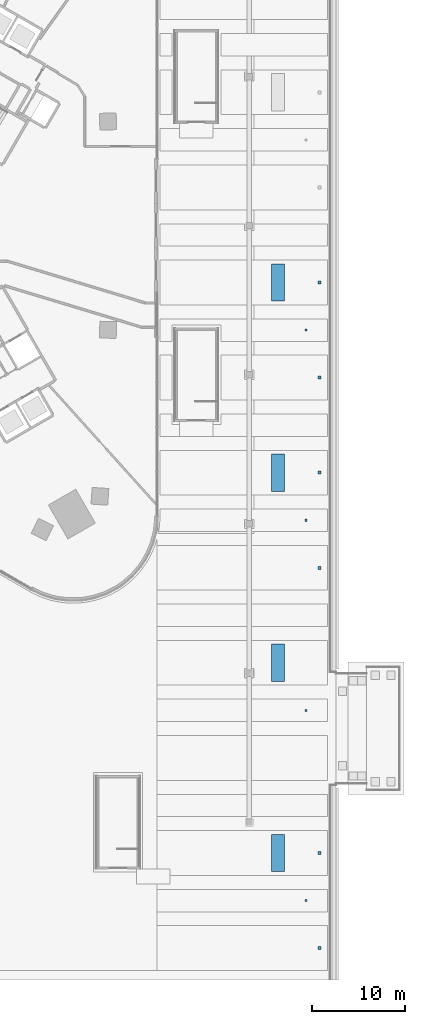
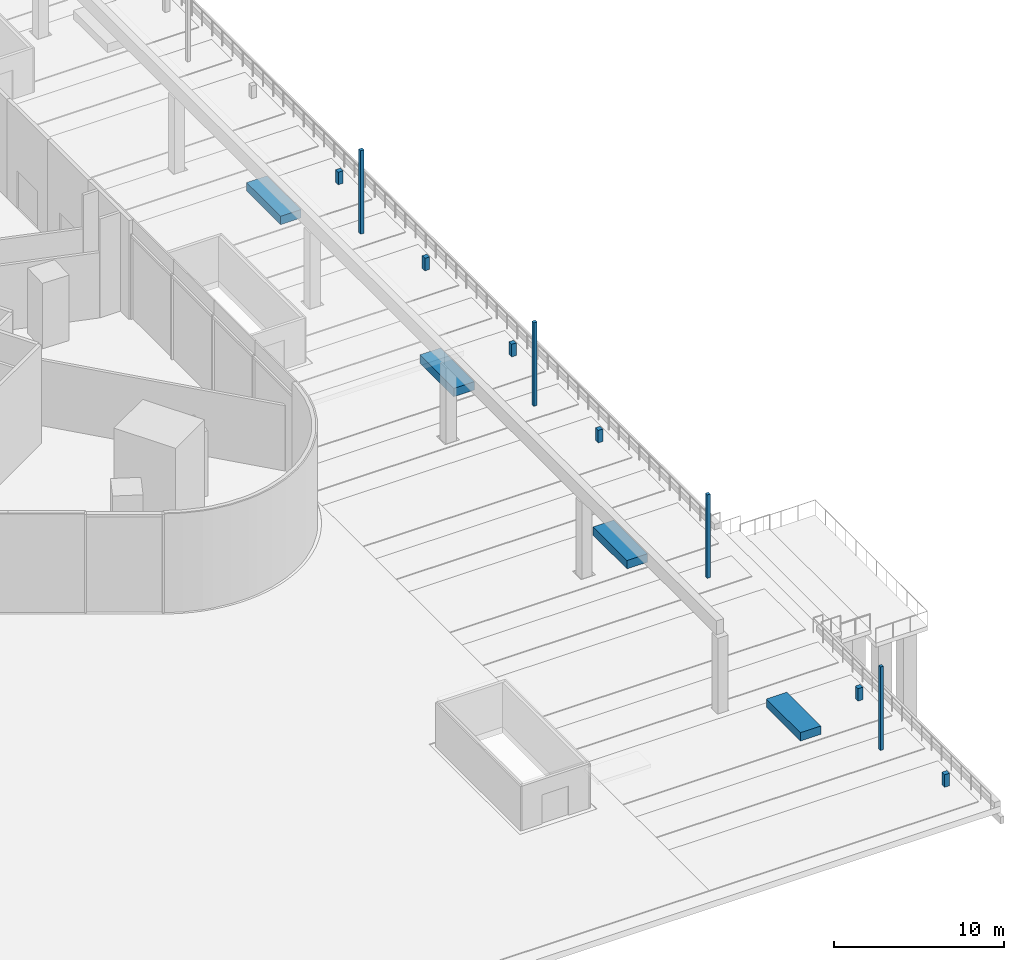
# One storey, part 27 of 41: 14 discrete accessories.
"""IFC4 building model written with IfcOpenShell, lengths in metres."""

from ifc_helpers import new_model, si_unit, direction, frame, origin, origin_2d, place, context, subcontext, project, spatial, rectangle, extrude, material, type_object, element, save


model = new_model("IFC4")

# Units and contexts
model_context = context("Model", 3, precision=1e-05, world=origin(), true_north=direction((0.0, 1.0)))
body_context = subcontext(model_context, "Body", "Model", "MODEL_VIEW")
ifc_project = project(units=[si_unit("LENGTHUNIT", "METRE"), si_unit("AREAUNIT", "SQUARE_METRE"), si_unit("VOLUMEUNIT", "CUBIC_METRE"), si_unit("PLANEANGLEUNIT", "RADIAN"), si_unit("MASSUNIT", "GRAM", prefix="KILO")], contexts=[model_context])

# Site, building, storey
site_placement = place(None, origin())
site = spatial("IfcSite", under=ifc_project, at=site_placement, CompositionType="ELEMENT")
building_placement = place(site_placement, origin())
building = spatial("IfcBuilding", under=site, at=building_placement, Name="Tamra Quay Hotel Tower", CompositionType="ELEMENT")
storey_placement = place(building_placement, origin())
storey = spatial("IfcBuildingStorey", under=building, at=storey_placement, Name="L00", CompositionType="ELEMENT", Elevation=0.0)

# Discrete accessories
ifc_material_1 = material(Name="Planting bed in concrete trough M40", Category="concrete")
discrete_accessory_type_1 = type_object("IfcDiscreteAccessoryType", Name="PLANTER TROUGH 1400X4000", PredefinedType="USERDEFINED", material=ifc_material_1)
for number, where, z_axis, x_axis, name in (
    (1, (40.0, -67.300048828125, 0.06005859375), (0.0, 0.0, 1.0), (1.0, 0.0, 0.0), "Planter trough 1"),
    (2, (40.0, -46.89990234375, 0.06005859375), (0.0, 0.0, 1.0), (1.0, 0.0, 0.0), "Planter trough 2"),
    (3, (40.0, -26.5, 0.06005859375), (0.0, 0.0, 1.0), (1.0, 0.0, 0.0), "Planter trough 3"),
    (4, (40.0, -6.10009765625, 0.06005859375), (0.0, 0.0, 1.0), (1.0, 0.0, 0.0), "Planter trough 4"),
):
    element("IfcDiscreteAccessory", number, at=place(storey_placement, frame(where, z_axis=z_axis, x_axis=x_axis)), inside=storey, type_object=discrete_accessory_type_1, Name=name, ObjectType="PLANTER", PredefinedType="USERDEFINED", context=body_context, shape_type="SweptSolid", body=[
        extrude(rectangle(XDim=1.39990234375, YDim=4.0, at=origin_2d()), origin(), (0.0, 0.0, 1.0), 0.60009765625),
    ])
ifc_material_2 = material(Name="Galvanised steel lamp column", Category="steel")
discrete_accessory_type_2 = type_object("IfcDiscreteAccessoryType", Name="PROMENADE LAMP COLUMN 220", PredefinedType="USERDEFINED", material=ifc_material_2)
for number, where, z_axis, x_axis, name in (
    (5, (43.0, -72.39990234375, 0.06005859375), (0.0, 0.0, 1.0), (1.0, 0.0, 0.0), "Promenade lamp column 1"),
    (6, (43.0, -52.0, 0.06005859375), (0.0, 0.0, 1.0), (1.0, 0.0, 0.0), "Promenade lamp column 2"),
    (7, (43.0, -31.60009765625, 0.06005859375), (0.0, 0.0, 1.0), (1.0, 0.0, 0.0), "Promenade lamp column 3"),
    (8, (43.0, -11.199951171875, 0.06005859375), (0.0, 0.0, 1.0), (1.0, 0.0, 0.0), "Promenade lamp column 4"),
):
    element("IfcDiscreteAccessory", number, at=place(storey_placement, frame(where, z_axis=z_axis, x_axis=x_axis)), inside=storey, type_object=discrete_accessory_type_2, Name=name, ObjectType="LAMP COLUMN", PredefinedType="USERDEFINED", context=body_context, shape_type="SweptSolid", body=[
        extrude(rectangle(XDim=0.219970703125, YDim=0.219970703125, at=origin_2d()), origin(), (0.0, 0.0, 1.0), 6.0),
    ])
ifc_material_3 = material(Name="Stainless steel bollard", Category="steel")
discrete_accessory_type_3 = type_object("IfcDiscreteAccessoryType", Name="QUAY BOLLARD 320", PredefinedType="USERDEFINED", material=ifc_material_3)
for number, where, z_axis, x_axis, name in (
    (9, (44.449951171875, -77.5, 0.06005859375), (0.0, 0.0, 1.0), (1.0, 0.0, 0.0), "Quay bollard 1"),
    (10, (44.449951171875, -67.300048828125, 0.06005859375), (0.0, 0.0, 1.0), (1.0, 0.0, 0.0), "Quay bollard 2"),
    (11, (44.449951171875, -36.699951171875, 0.06005859375), (0.0, 0.0, 1.0), (1.0, 0.0, 0.0), "Quay bollard 3"),
    (12, (44.449951171875, -26.5, 0.06005859375), (0.0, 0.0, 1.0), (1.0, 0.0, 0.0), "Quay bollard 4"),
    (13, (44.449951171875, -16.300048828125, 0.06005859375), (0.0, 0.0, 1.0), (1.0, 0.0, 0.0), "Quay bollard 5"),
    (14, (44.449951171875, -6.10009765625, 0.06005859375), (0.0, 0.0, 1.0), (1.0, 0.0, 0.0), "Quay bollard 6"),
):
    element("IfcDiscreteAccessory", number, at=place(storey_placement, frame(where, z_axis=z_axis, x_axis=x_axis)), inside=storey, type_object=discrete_accessory_type_3, Name=name, ObjectType="BOLLARD", PredefinedType="USERDEFINED", context=body_context, shape_type="SweptSolid", body=[
        extrude(rectangle(XDim=0.320068359375, YDim=0.320068359375, at=origin_2d()), origin(), (0.0, 0.0, 1.0), 0.89990234375),
    ])

save(model, "model.ifc")
